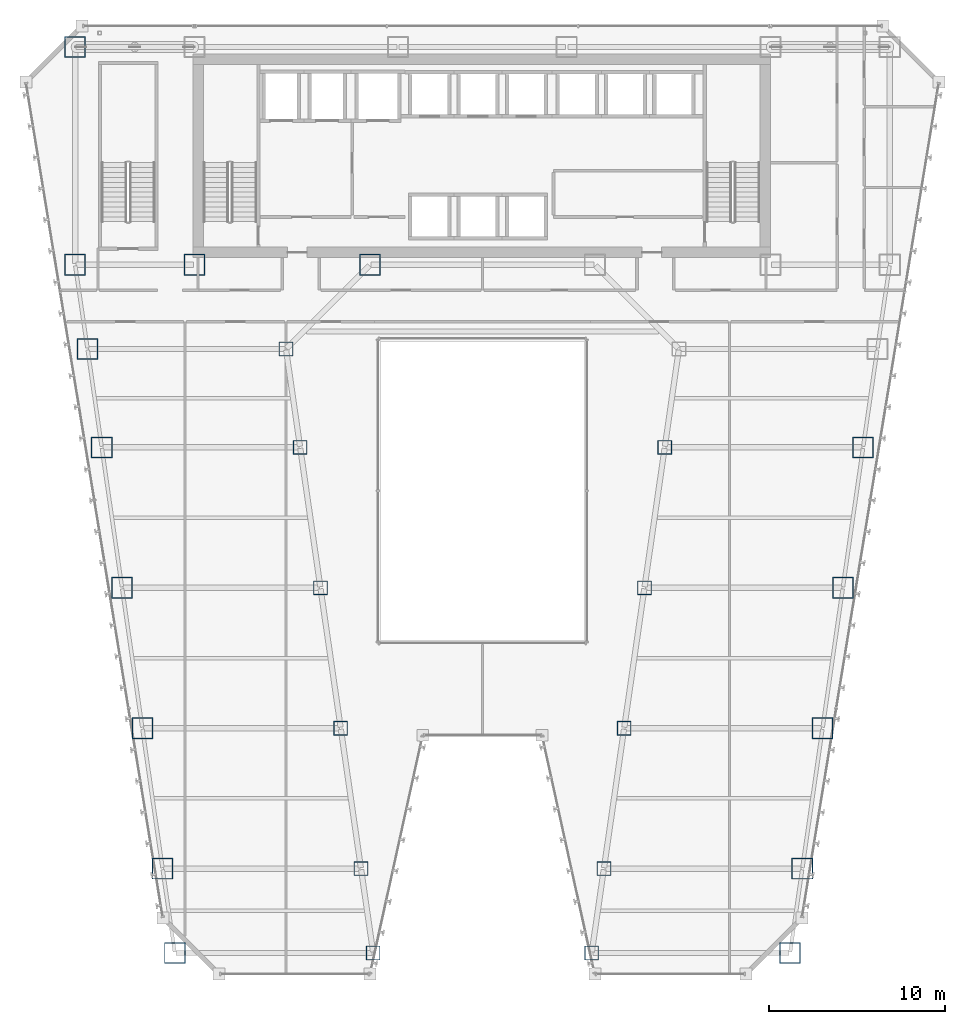
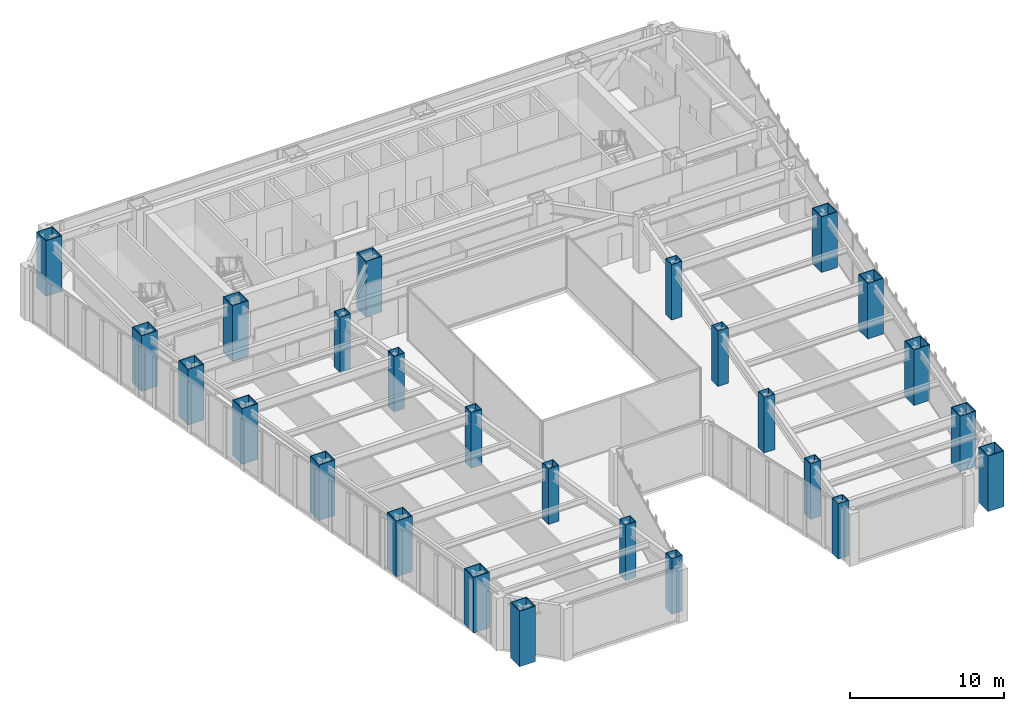
# One storey, part 1 of 47: 26 columns.
"""IFC4 building model written with IfcOpenShell, lengths in metres."""

from ifc_helpers import new_model, si_unit, direction, frame, origin, origin_2d, place, context, subcontext, project, spatial, hollow_rectangle, extrude, material, material_profile, profile_set, type_object, element, save


model = new_model("IFC4")

# Units and contexts
model_context = context("Model", 3, precision=1e-05, world=origin(), true_north=direction((0.0, 1.0)))
body_context = subcontext(model_context, "Body", "Model", "MODEL_VIEW")
ifc_project = project(units=[si_unit("LENGTHUNIT", "METRE"), si_unit("AREAUNIT", "SQUARE_METRE"), si_unit("VOLUMEUNIT", "CUBIC_METRE"), si_unit("PLANEANGLEUNIT", "RADIAN"), si_unit("MASSUNIT", "GRAM", prefix="KILO")], contexts=[model_context])

# Site, building, storey
site_placement = place(None, origin())
site = spatial("IfcSite", under=ifc_project, at=site_placement, CompositionType="ELEMENT")
building_placement = place(site_placement, origin())
building = spatial("IfcBuilding", under=site, at=building_placement, Name="Saevonmaru Cultural Tower", CompositionType="ELEMENT")
storey_placement = place(building_placement, frame((0.0, 0.0, 47.199951171875)))
storey = spatial("IfcBuildingStorey", under=building, at=storey_placement, Name="L09", CompositionType="ELEMENT", Elevation=47.199951171875)

# Columns
ifc_material_1 = material(Name="Steel HSA600 (600 MPa)", Category="steel")
ifc_material_profile_1 = material_profile(ifc_material_1, hollow_rectangle(XDim=1.199951171875, YDim=1.199951171875, WallThickness=0.054931640625, at=origin_2d()), Name="BOX-1200x1200x55")
ifc_profile_set_1 = profile_set([ifc_material_profile_1], Name="Steel HSA600 (600 MPa)")
column_type_1 = type_object("IfcColumnType", Name="COL-BOX-1200", PredefinedType="COLUMN", material=ifc_profile_set_1)
for number, where, z_axis, x_axis, name in (
    (1, (6.800048828125, 54.800048828125, 0.0), (0.0, 0.0, 1.0), (1.0, 0.0, 0.0), "L09 Column TC-N1N"),
    (2, (6.800048828125, 42.39990234375, 0.0), (0.0, 0.0, 1.0), (1.0, 0.0, 0.0), "L09 Column TC-S1C"),
    (3, (13.60009765625, 42.39990234375, 0.0), (0.0, 0.0, 1.0), (1.0, 0.0, 0.0), "L09 Column TC-S2C"),
    (4, (23.60009765625, 42.39990234375, 0.0), (0.0, 0.0, 1.0), (1.0, 0.0, 0.0), "L09 Column TC-S3C"),
    (5, (12.47705078125, 3.199951171875, 0.0), (0.0, 0.0, 1.0), (1.0, 0.0, 0.0), "L09 Column TC-WO-Y032"),
    (6, (47.52294921875, 3.199951171875, 0.0), (0.0, 0.0, 1.0), (1.0, 0.0, 0.0), "L09 Column TC-EO-Y032"),
    (7, (11.782958984375, 8.0, 0.0), (0.0, 0.0, 1.0), (1.0, 0.0, 0.0), "L09 Column TC-WO-Y080"),
    (8, (48.217041015625, 8.0, 0.0), (0.0, 0.0, 1.0), (1.0, 0.0, 0.0), "L09 Column TC-EO-Y080"),
    (9, (10.6279296875, 16.0, 0.0), (0.0, 0.0, 1.0), (1.0, 0.0, 0.0), "L09 Column TC-WO-Y160"),
    (10, (49.3720703125, 16.0, 0.0), (0.0, 0.0, 1.0), (1.0, 0.0, 0.0), "L09 Column TC-EO-Y160"),
    (11, (9.471923828125, 24.0, 0.0), (0.0, 0.0, 1.0), (1.0, 0.0, 0.0), "L09 Column TC-WO-Y240"),
    (12, (50.528076171875, 24.0, 0.0), (0.0, 0.0, 1.0), (1.0, 0.0, 0.0), "L09 Column TC-EO-Y240"),
    (13, (8.31689453125, 32.0, 0.0), (0.0, 0.0, 1.0), (1.0, 0.0, 0.0), "L09 Column TC-WO-Y320"),
    (14, (51.68310546875, 32.0, 0.0), (0.0, 0.0, 1.0), (1.0, 0.0, 0.0), "L09 Column TC-EO-Y320"),
    (15, (7.508056640625, 37.60009765625, 0.0), (0.0, 0.0, 1.0), (1.0, 0.0, 0.0), "L09 Column TC-WO-Y376"),
):
    element("IfcColumn", number, at=place(storey_placement, frame(where, z_axis=z_axis, x_axis=x_axis)), inside=storey, type_object=column_type_1, Name=name, PredefinedType="COLUMN", context=body_context, shape_type="SweptSolid", body=[
        extrude(hollow_rectangle(XDim=1.199951171875, YDim=1.199951171875, WallThickness=0.054931640625, at=origin_2d()), origin(), (0.0, 0.0, 1.0), 4.400146484375),
    ])
ifc_material_2 = material(Name="Steel SM420", Category="steel")
ifc_material_profile_2 = material_profile(ifc_material_2, hollow_rectangle(XDim=0.800048828125, YDim=0.800048828125, WallThickness=0.035888671875, at=origin_2d()), Name="BOX-800x800x36")
ifc_profile_set_2 = profile_set([ifc_material_profile_2], Name="Steel SM420")
column_type_2 = type_object("IfcColumnType", Name="COL-BOX-800", PredefinedType="COLUMN", material=ifc_profile_set_2)
for number, where, z_axis, x_axis, name in (
    (16, (23.777099609375, 3.199951171875, 0.0), (0.0, 0.0, 1.0), (1.0, 0.0, 0.0), "L09 Column TC-WI-Y032"),
    (17, (36.222900390625, 3.199951171875, 0.0), (0.0, 0.0, 1.0), (1.0, 0.0, 0.0), "L09 Column TC-EI-Y032"),
    (18, (23.0830078125, 8.0, 0.0), (0.0, 0.0, 1.0), (1.0, 0.0, 0.0), "L09 Column TC-WI-Y080"),
    (19, (36.9169921875, 8.0, 0.0), (0.0, 0.0, 1.0), (1.0, 0.0, 0.0), "L09 Column TC-EI-Y080"),
    (20, (21.927978515625, 16.0, 0.0), (0.0, 0.0, 1.0), (1.0, 0.0, 0.0), "L09 Column TC-WI-Y160"),
    (21, (38.072021484375, 16.0, 0.0), (0.0, 0.0, 1.0), (1.0, 0.0, 0.0), "L09 Column TC-EI-Y160"),
    (22, (20.77197265625, 24.0, 0.0), (0.0, 0.0, 1.0), (1.0, 0.0, 0.0), "L09 Column TC-WI-Y240"),
    (23, (39.22802734375, 24.0, 0.0), (0.0, 0.0, 1.0), (1.0, 0.0, 0.0), "L09 Column TC-EI-Y240"),
    (24, (19.616943359375, 32.0, 0.0), (0.0, 0.0, 1.0), (1.0, 0.0, 0.0), "L09 Column TC-WI-Y320"),
    (25, (40.383056640625, 32.0, 0.0), (0.0, 0.0, 1.0), (1.0, 0.0, 0.0), "L09 Column TC-EI-Y320"),
    (26, (18.80810546875, 37.60009765625, 0.0), (0.0, 0.0, 1.0), (1.0, 0.0, 0.0), "L09 Column TC-WI-Y376"),
):
    element("IfcColumn", number, at=place(storey_placement, frame(where, z_axis=z_axis, x_axis=x_axis)), inside=storey, type_object=column_type_2, Name=name, PredefinedType="COLUMN", context=body_context, shape_type="SweptSolid", body=[
        extrude(hollow_rectangle(XDim=0.800048828125, YDim=0.800048828125, WallThickness=0.035888671875, at=origin_2d()), origin(), (0.0, 0.0, 1.0), 4.400146484375),
    ])

save(model, "model.ifc")
